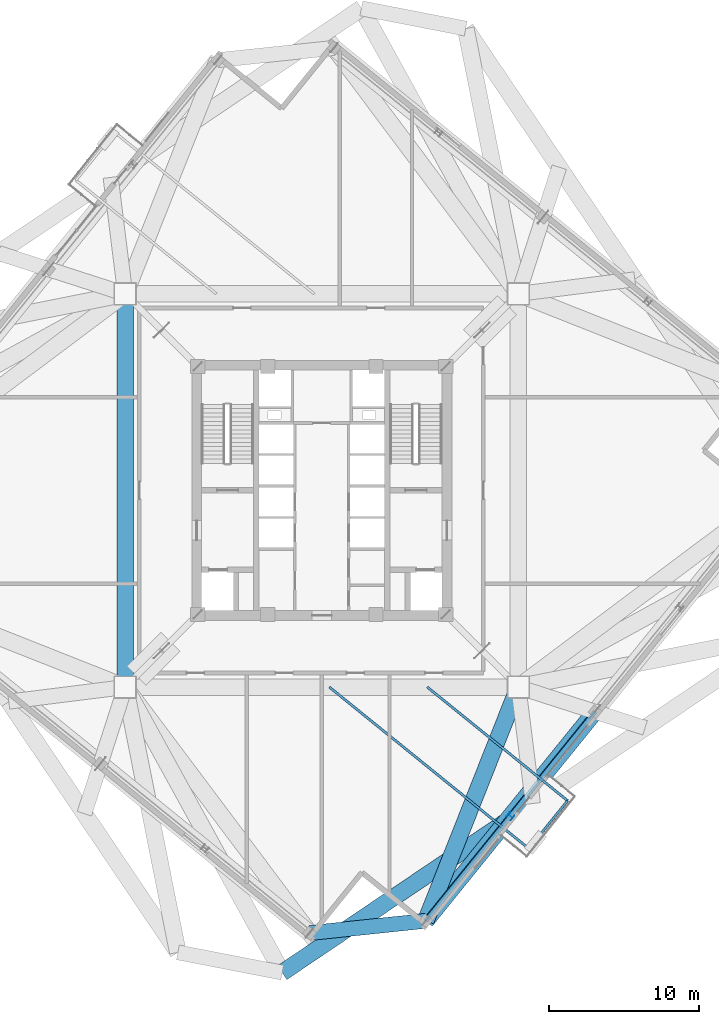
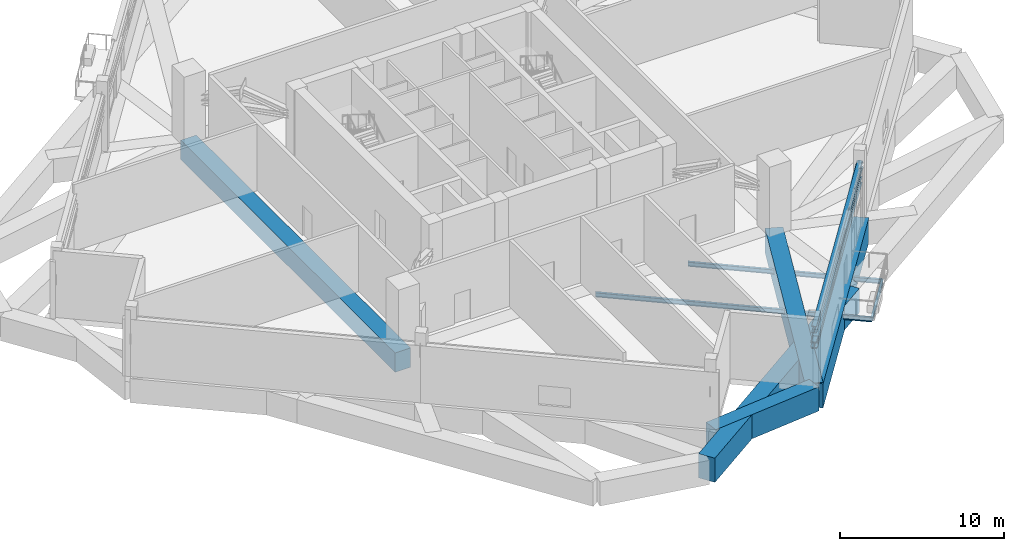
# One storey, part 3 of 22: 8 beams, 4 members.
"""IFC4 building model written with IfcOpenShell, lengths in metres."""

from ifc_helpers import new_model, si_unit, direction, frame, origin, origin_2d, place, context, subcontext, project, spatial, rectangle, i_section, extrude, source, transform, mapped, material, material_profile, profile_set, type_object, element, save


model = new_model("IFC4")

# Units and contexts
model_context = context("Model", 3, precision=1e-05, world=origin(), true_north=direction((0.0, 1.0)))
body_context = subcontext(model_context, "Body", "Model", "MODEL_VIEW")
ifc_project = project(units=[si_unit("LENGTHUNIT", "METRE"), si_unit("AREAUNIT", "SQUARE_METRE"), si_unit("VOLUMEUNIT", "CUBIC_METRE"), si_unit("PLANEANGLEUNIT", "RADIAN"), si_unit("MASSUNIT", "GRAM", prefix="KILO"), si_unit("THERMODYNAMICTEMPERATUREUNIT", "KELVIN")], contexts=[model_context])

# Site, building, storey
site_placement = place(None, origin())
site = spatial("IfcSite", under=ifc_project, at=site_placement, CompositionType="ELEMENT")
building_placement = place(site_placement, origin())
building = spatial("IfcBuilding", under=site, at=building_placement, Name="Kosmvard Interchange Tower", CompositionType="ELEMENT")
storey_placement = place(building_placement, frame((0.0, 0.0, 200.39990234375)))
storey = spatial("IfcBuildingStorey", under=building, at=storey_placement, Name="L48", CompositionType="ELEMENT", Elevation=200.39990234375)

# Beams
ifc_material_1 = material(Name="Concrete C70/85", Category="concrete")
ifc_material_profile_1 = material_profile(ifc_material_1, rectangle(XDim=1.10009765625, YDim=1.43994140625, at=origin_2d()), Name="TG 1100x1440")
ifc_profile_set_1 = profile_set([ifc_material_profile_1], Name="Concrete C70/85")
beam_type_1 = type_object("IfcBeamType", Name="Mega-Frame Transfer Ring Girder 1100x1440 C70/85", PredefinedType="USERDEFINED", material=ifc_profile_set_1)
shared_shape_1 = source(origin(), body_context, "Body", "SweptSolid", [
    extrude(rectangle(XDim=1.10009765625, YDim=1.43994140625, at=origin_2d()), origin(), (0.0, 0.0, 1.0), 26.162109375),
])
beam_1_placement = place(storey_placement, frame((-13.0810546875, 13.0810546875, -0.719970703125), z_axis=(0.0, -1.0, 0.0), x_axis=(1.0, 0.0, 0.0)))
element("IfcBeam", 1, at=beam_1_placement, inside=storey, type_object=beam_type_1, Name="L48 Mega-Column Ring Girder 4", ObjectType="TRANSFER_GIRDER", PredefinedType="USERDEFINED", context=body_context, shape_type="MappedRepresentation", body=[
    mapped(shared_shape_1, transform((0.0, 0.0, 0.0), scale=1.0)),
])
ifc_material_2 = material(Name="Concrete C60/75", Category="concrete")
ifc_material_profile_2 = material_profile(ifc_material_2, rectangle(XDim=1.1201171875, YDim=1.800048828125, at=origin_2d()), Name="TG 1120x1800")
ifc_profile_set_2 = profile_set([ifc_material_profile_2], Name="Concrete C60/75")
beam_type_2 = type_object("IfcBeamType", Name="Zone Long-Span Transfer Girder 1120x1800 C60/75", PredefinedType="USERDEFINED", material=ifc_profile_set_2)
shared_shape_2 = source(origin(), body_context, "Body", "SweptSolid", [
    extrude(rectangle(XDim=1.1201171875, YDim=1.800048828125, at=origin_2d()), origin(), (0.0, 0.0, 1.0), 20.125),
])
beam_2_placement = place(storey_placement, frame((-2.634765625, -32.083251953125, -0.89990234375), z_axis=(0.82904270175, 0.559185299051, 0.0), x_axis=(-0.559185299051, 0.82904270175, 0.0)))
element("IfcBeam", 2, at=beam_2_placement, inside=storey, type_object=beam_type_2, Name="BM-L48-LR01", ObjectType="TRANSFER_GIRDER", PredefinedType="USERDEFINED", context=body_context, shape_type="MappedRepresentation", body=[
    mapped(shared_shape_2, transform((0.0, 0.0, 0.0), scale=1.0)),
])
ifc_material_3 = material(Name="Steel S355", Category="steel")
ifc_material_profile_3 = material_profile(ifc_material_3, i_section(OverallWidth=0.14990234375, OverallDepth=0.300048828125, WebThickness=0.007080078125, FlangeThickness=0.0107421875, FilletRadius=0.014892578125, at=origin_2d()), Name="IPE 300")
ifc_profile_set_3 = profile_set([ifc_material_profile_3], Name="Steel S355")
beam_type_3 = type_object("IfcBeamType", Name="Balcony Edge Header Joist IPE 300 S355", PredefinedType="JOIST", material=ifc_profile_set_3)
shared_shape_3 = source(origin(), body_context, "Body", "SweptSolid", [
    extrude(i_section(OverallWidth=0.14990234375, OverallDepth=0.300048828125, WebThickness=0.007080078125, FlangeThickness=0.0107421875, FilletRadius=0.014892578125, at=origin_2d()), origin(), (0.0, 0.0, 1.0), 4.099853515625),
])
beam_3_placement = place(storey_placement, frame((13.77392578125, -23.828369140625, -0.5498046875), z_axis=(0.629302717395, 0.777160272968, 0.0), x_axis=(-0.777160272968, 0.629302717395, 0.0)))
element("IfcBeam", 3, at=beam_3_placement, inside=storey, type_object=beam_type_3, Name="BM-L48-BJH2", PredefinedType="JOIST", context=body_context, shape_type="MappedRepresentation", body=[
    mapped(shared_shape_3, transform((0.0, 0.0, 0.0), scale=1.0)),
])
shared_shape_4 = source(origin(), body_context, "Body", "SweptSolid", [
    extrude(rectangle(XDim=1.1201171875, YDim=1.800048828125, at=origin_2d()), origin(), (0.0, 0.0, 1.0), 16.7314453125),
])
beam_4_placement = place(storey_placement, frame((13.0810546875, -13.0810546875, -0.89990234375), z_axis=(-0.368208500474, -0.929743244223, 0.0), x_axis=(0.929743244223, -0.368208500474, 0.0)))
element("IfcBeam", 4, at=beam_4_placement, inside=storey, type_object=beam_type_2, Name="BM-L48-RD01", ObjectType="TRANSFER_GIRDER", PredefinedType="USERDEFINED", context=body_context, shape_type="MappedRepresentation", body=[
    mapped(shared_shape_4, transform((0.0, 0.0, 0.0), scale=1.0)),
])
shared_shape_5 = source(origin(), body_context, "Body", "SweptSolid", [
    extrude(rectangle(XDim=1.1201171875, YDim=1.800048828125, at=origin_2d()), origin(), (0.0, 0.0, 1.0), 17.89990234375),
])
beam_5_placement = place(storey_placement, frame((6.92041015625, -28.636962890625, -0.89990234375), z_axis=(0.629322990554, 0.777143856413, 0.0), x_axis=(-0.777143856413, 0.629322990554, 0.0)))
element("IfcBeam", 5, at=beam_5_placement, inside=storey, type_object=beam_type_2, Name="BM-L48-PR01", ObjectType="TRANSFER_GIRDER", PredefinedType="USERDEFINED", context=body_context, shape_type="MappedRepresentation", body=[
    mapped(shared_shape_5, transform((0.0, 0.0, 0.0), scale=1.0)),
])
ifc_material_profile_4 = material_profile(ifc_material_2, rectangle(XDim=1.0, YDim=1.800048828125, at=origin_2d()), Name="TG 1000x1800")
ifc_profile_set_4 = profile_set([ifc_material_profile_4], Name="Concrete C60/75")
beam_type_4 = type_object("IfcBeamType", Name="Zone Transfer Ring Girder 1000x1800 C60/75", PredefinedType="USERDEFINED", material=ifc_profile_set_4)
shared_shape_6 = source(origin(), body_context, "Body", "SweptSolid", [
    extrude(rectangle(XDim=1.0, YDim=1.800048828125, at=origin_2d()), origin(), (0.0, 0.0, 1.0), 7.7783203125),
])
beam_6_placement = place(storey_placement, frame((-0.815185546875, -29.449951171875, -0.89990234375), z_axis=(0.994522638298, 0.104521394525, 0.0), x_axis=(-0.104521394525, 0.994522638298, 0.0)))
element("IfcBeam", 6, at=beam_6_placement, inside=storey, type_object=beam_type_4, Name="BM-L48-PR12", ObjectType="TRANSFER_GIRDER", PredefinedType="USERDEFINED", context=body_context, shape_type="MappedRepresentation", body=[
    mapped(shared_shape_6, transform((0.0, 0.0, 0.0), scale=1.0)),
])
ifc_material_profile_5 = material_profile(ifc_material_3, i_section(OverallWidth=0.159912109375, OverallDepth=0.330078125, WebThickness=0.007568359375, FlangeThickness=0.011474609375, FilletRadius=0.01806640625, at=origin_2d()), Name="IPE 330")
ifc_profile_set_5 = profile_set([ifc_material_profile_5], Name="Steel S355")
beam_type_5 = type_object("IfcBeamType", Name="Balcony Cantilever Joist IPE 330 S355", PredefinedType="JOIST", material=ifc_profile_set_5)
shared_shape_7 = source(origin(), body_context, "Body", "SweptSolid", [
    extrude(i_section(OverallWidth=0.159912109375, OverallDepth=0.330078125, WebThickness=0.007568359375, FlangeThickness=0.011474609375, FilletRadius=0.01806640625, at=origin_2d()), origin(), (0.0, 0.0, 1.0), 17.077880859375),
])
beam_7_placement = place(storey_placement, frame((0.501953125, -13.0810546875, -0.56494140625), z_axis=(0.777149314758, -0.629316250045, 0.0), x_axis=(0.629316250045, 0.777149314758, 0.0)))
element("IfcBeam", 7, at=beam_7_placement, inside=storey, type_object=beam_type_5, Name="BM-L48-BJ2", PredefinedType="JOIST", context=body_context, shape_type="MappedRepresentation", body=[
    mapped(shared_shape_7, transform((0.0, 0.0, 0.0), scale=1.0)),
])
shared_shape_8 = source(origin(), body_context, "Body", "SweptSolid", [
    extrude(i_section(OverallWidth=0.159912109375, OverallDepth=0.330078125, WebThickness=0.007568359375, FlangeThickness=0.011474609375, FilletRadius=0.01806640625, at=origin_2d()), origin(), (0.0, 0.0, 1.0), 12.0146484375),
])
beam_8_placement = place(storey_placement, frame((7.016845703125, -13.0810546875, -0.56494140625), z_axis=(0.777147853166, -0.629318054976, 0.0), x_axis=(0.629318054976, 0.777147853166, 0.0)))
element("IfcBeam", 8, at=beam_8_placement, inside=storey, type_object=beam_type_5, Name="BM-L48-BJB2", PredefinedType="JOIST", context=body_context, shape_type="MappedRepresentation", body=[
    mapped(shared_shape_8, transform((0.0, 0.0, 0.0), scale=1.0)),
])

# Members
ifc_material_4 = material(Name="Steel S460", Category="steel")
ifc_material_profile_6 = material_profile(ifc_material_4, i_section(OverallWidth=0.300048828125, OverallDepth=0.5, WebThickness=0.014404296875, FlangeThickness=0.028076171875, FilletRadius=0.027099609375, at=origin_2d()), Name="HEB 500")
ifc_profile_set_6 = profile_set([ifc_material_profile_6], Name="Steel S460")
member_type_1 = type_object("IfcMemberType", Name="Belt Truss Chord HEB 500 S460", PredefinedType="CHORD", material=ifc_profile_set_6)
shared_shape_9 = source(origin(), body_context, "Body", "SweptSolid", [
    extrude(i_section(OverallWidth=0.300048828125, OverallDepth=0.5, WebThickness=0.014404296875, FlangeThickness=0.028076171875, FilletRadius=0.027099609375, at=origin_2d()), origin(), (0.0, 0.0, 1.0), 17.89990234375),
])
for number, where, z_axis, x_axis, name in (
    (9, (6.92041015625, -28.636962890625, 2.820068359375), (0.629322990554, 0.777143856413, 0.0), (-0.777143856413, 0.629322990554, 0.0), "L48 Belt Truss Bottom Chord S1"),
    (10, (6.92041015625, -28.636962890625, 3.97998046875), (0.629322990554, 0.777143856413, 0.0), (-0.777143856413, 0.629322990554, 0.0), "L48 Belt Truss Top Chord S1"),
):
    element("IfcMember", number, at=place(storey_placement, frame(where, z_axis=z_axis, x_axis=x_axis)), inside=storey, type_object=member_type_1, Name=name, PredefinedType="CHORD", context=body_context, shape_type="MappedRepresentation", body=[
        mapped(shared_shape_9, transform((0.0, 0.0, 0.0), scale=1.0)),
    ])
ifc_material_profile_7 = material_profile(ifc_material_4, i_section(OverallWidth=0.3759765625, OverallDepth=0.386962890625, WebThickness=0.01953125, FlangeThickness=0.031982421875, FilletRadius=0.014892578125, at=origin_2d()), Name="HD 360x329")
ifc_profile_set_7 = profile_set([ifc_material_profile_7], Name="Steel S460")
member_type_2 = type_object("IfcMemberType", Name="Belt Truss Vertical Post HD 360x329 S460", PredefinedType="STUD", material=ifc_profile_set_7)
shared_shape_10 = source(origin(), body_context, "Body", "SweptSolid", [
    extrude(i_section(OverallWidth=0.3759765625, OverallDepth=0.386962890625, WebThickness=0.01953125, FlangeThickness=0.031982421875, FilletRadius=0.014892578125, at=origin_2d()), origin(), (0.0, 0.0, 1.0), 1.159912109375),
])
member_1_placement = place(storey_placement, frame((12.552734375, -21.681640625, 2.820068359375), z_axis=(0.0, 0.0, 1.0), x_axis=(0.62932039105, 0.777145961457, 0.0)))
element("IfcMember", 11, at=member_1_placement, inside=storey, type_object=member_type_2, Name="L48 Belt Truss Post S1", PredefinedType="STUD", context=body_context, shape_type="MappedRepresentation", body=[
    mapped(shared_shape_10, transform((0.0, 0.0, 0.0), scale=1.0)),
])
ifc_material_profile_8 = material_profile(ifc_material_4, i_section(OverallWidth=0.406005859375, OverallDepth=0.416015625, WebThickness=0.021484375, FlangeThickness=0.034912109375, FilletRadius=0.014892578125, at=origin_2d()), Name="HD 400x382")
ifc_profile_set_8 = profile_set([ifc_material_profile_8], Name="Steel S460")
member_type_3 = type_object("IfcMemberType", Name="Perimeter Belt Truss Diagonal HD 400x382 S460", PredefinedType="BRACE", material=ifc_profile_set_8)
shared_shape_11 = source(origin(), body_context, "Body", "SweptSolid", [
    extrude(i_section(OverallWidth=0.406005859375, OverallDepth=0.416015625, WebThickness=0.021484375, FlangeThickness=0.034912109375, FilletRadius=0.014892578125, at=origin_2d()), origin(), (0.0, 0.0, 1.0), 17.9375),
])
member_2_placement = place(storey_placement, frame((6.92041015625, -28.636962890625, 2.820068359375), z_axis=(0.628005881349, 0.775517373126, 0.064663876862), x_axis=(-0.777143856413, 0.629322990554, 0.0)))
element("IfcMember", 12, at=member_2_placement, inside=storey, type_object=member_type_3, Name="L48 Belt Truss Diagonal S1", PredefinedType="BRACE", context=body_context, shape_type="MappedRepresentation", body=[
    mapped(shared_shape_11, transform((0.0, 0.0, 0.0), scale=1.0)),
])

save(model, "model.ifc")
